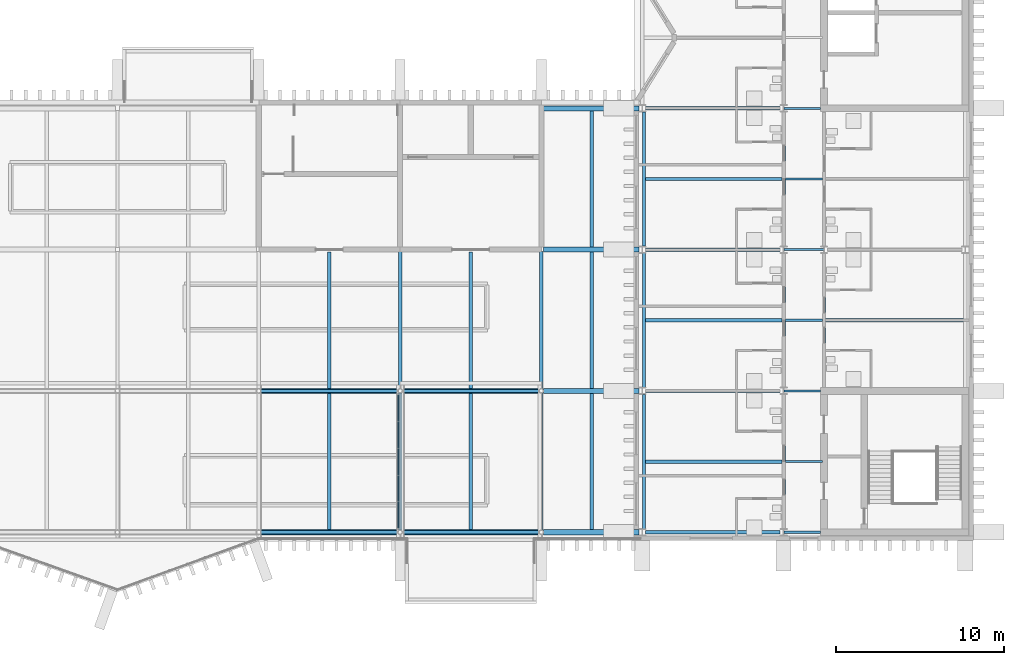
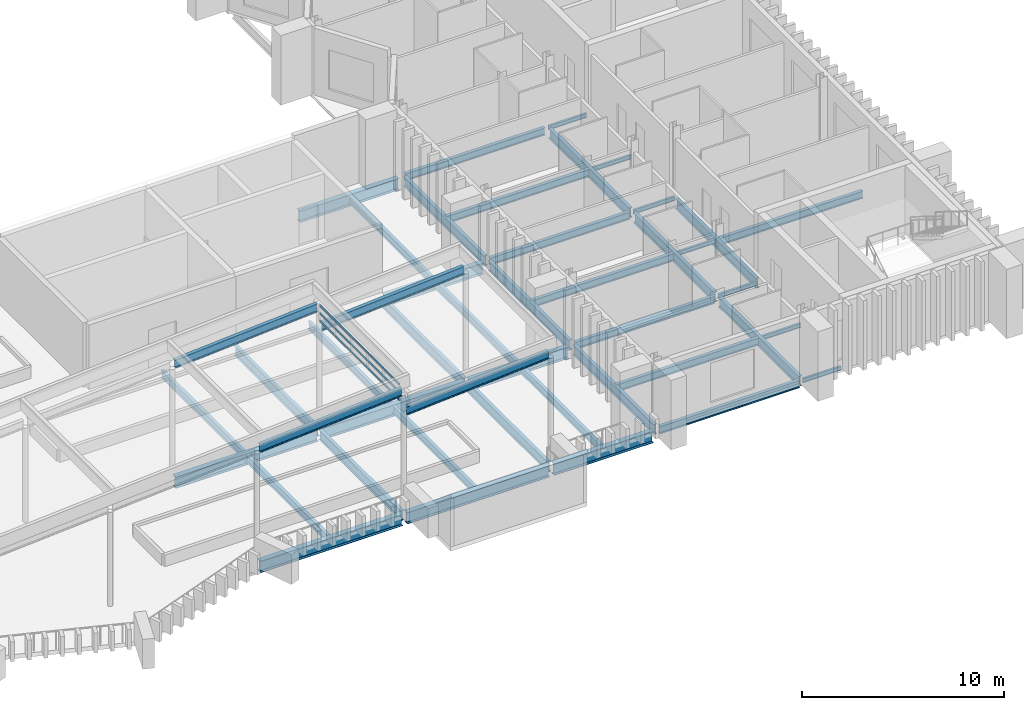
# One storey, part 23 of 51: 45 beams, 15 members, 1 element without a shape of its own.
"""IFC4 building model written with IfcOpenShell, lengths in metres."""

from ifc_helpers import new_model, si_unit, direction, frame, origin, origin_2d, place, context, subcontext, project, spatial, rectangle, i_section, extrude, material, layer, layer_set, material_profile, profile_set, type_object, element, aggregate, save


model = new_model("IFC4")

# Units and contexts
model_context = context("Model", 3, precision=1e-05, world=origin(), true_north=direction((0.0, 1.0)))
body_context = subcontext(model_context, "Body", "Model", "MODEL_VIEW")
ifc_project = project(units=[si_unit("LENGTHUNIT", "METRE"), si_unit("AREAUNIT", "SQUARE_METRE"), si_unit("VOLUMEUNIT", "CUBIC_METRE"), si_unit("PLANEANGLEUNIT", "RADIAN"), si_unit("MASSUNIT", "GRAM", prefix="KILO")], contexts=[model_context])

# Site, building, storey
site_placement = place(None, origin())
site = spatial("IfcSite", under=ifc_project, at=site_placement, CompositionType="ELEMENT")
building_placement = place(site_placement, origin())
building = spatial("IfcBuilding", under=site, at=building_placement, Name="Cresset Court Congress Hotel", CompositionType="ELEMENT")
storey_placement = place(building_placement, frame((0.0, 0.0, 18.60009765625)))
storey = spatial("IfcBuildingStorey", under=building, at=storey_placement, Name="L04", CompositionType="ELEMENT", Elevation=18.60009765625)

# Curtain wall, members
ifc_material_1 = material(Name="Aluminium frame with double glazing", Category="aluminium")
ifc_layer = layer(ifc_material_1, 0.199951171875)
ifc_layer_set = layer_set([ifc_layer], Name="Glazed box curtain wall 1680 module")
curtain_wall_type = type_object("IfcCurtainWallType", Name="Glazed box curtain wall 1680 module", PredefinedType="NOTDEFINED", material=ifc_layer_set)
curtain_wall_placement = place(storey_placement, origin())
curtain_wall = element("IfcCurtainWall", 1, at=curtain_wall_placement, inside=storey, type_object=curtain_wall_type, Name="Roof light face 5", PredefinedType="NOTDEFINED")
ifc_material_2 = material(Name="Aluminium", Category="aluminium")
ifc_material_profile_1 = material_profile(ifc_material_2, rectangle(XDim=0.06005859375, YDim=0.1201171875, at=origin_2d()), Name="Box transom 60x120")
ifc_profile_set_1 = profile_set([ifc_material_profile_1], Name="Aluminium")
member_type = type_object("IfcMemberType", Name="Box transom 60x120", PredefinedType="USERDEFINED", material=ifc_profile_set_1)
member_1_placement = place(storey_placement, frame((142.699951171875, 0.260009765625, 6.429931640625), z_axis=(0.0, 1.0, 0.0), x_axis=(-1.0, 0.0, 0.0)))
member_1 = element("IfcMember", 2, at=member_1_placement, type_object=member_type, Name="B-X1 transom 1.1", ObjectType="TRANSOM", PredefinedType="USERDEFINED", context=body_context, shape_type="SweptSolid", body=[
    extrude(rectangle(XDim=0.06005859375, YDim=0.1201171875, at=origin_2d()), origin(), (0.0, 0.0, 1.0), 1.510009765625),
])
member_2_placement = place(storey_placement, frame((142.699951171875, 0.260009765625, 6.8818359375), z_axis=(0.0, 1.0, 0.0), x_axis=(-1.0, 0.0, 0.0)))
member_2 = element("IfcMember", 3, at=member_2_placement, type_object=member_type, Name="B-X1 transom 1.2", ObjectType="TRANSOM", PredefinedType="USERDEFINED", context=body_context, shape_type="SweptSolid", body=[
    extrude(rectangle(XDim=0.06005859375, YDim=0.1201171875, at=origin_2d()), origin(), (0.0, 0.0, 1.0), 1.510009765625),
])
member_3_placement = place(storey_placement, frame((142.699951171875, 0.260009765625, 7.333984375), z_axis=(0.0, 1.0, 0.0), x_axis=(-1.0, 0.0, 0.0)))
member_3 = element("IfcMember", 4, at=member_3_placement, type_object=member_type, Name="B-X1 transom 1.3", ObjectType="TRANSOM", PredefinedType="USERDEFINED", context=body_context, shape_type="SweptSolid", body=[
    extrude(rectangle(XDim=0.06005859375, YDim=0.1201171875, at=origin_2d()), origin(), (0.0, 0.0, 1.0), 1.510009765625),
])
member_4_placement = place(storey_placement, frame((142.699951171875, 1.830078125, 6.429931640625), z_axis=(0.0, 1.0, 0.0), x_axis=(-1.0, 0.0, 0.0)))
member_4 = element("IfcMember", 5, at=member_4_placement, type_object=member_type, Name="B-X1 transom 2.1", ObjectType="TRANSOM", PredefinedType="USERDEFINED", context=body_context, shape_type="SweptSolid", body=[
    extrude(rectangle(XDim=0.06005859375, YDim=0.1201171875, at=origin_2d()), origin(), (0.0, 0.0, 1.0), 1.5400390625),
])
member_5_placement = place(storey_placement, frame((142.699951171875, 1.830078125, 6.8818359375), z_axis=(0.0, 1.0, 0.0), x_axis=(-1.0, 0.0, 0.0)))
member_5 = element("IfcMember", 6, at=member_5_placement, type_object=member_type, Name="B-X1 transom 2.2", ObjectType="TRANSOM", PredefinedType="USERDEFINED", context=body_context, shape_type="SweptSolid", body=[
    extrude(rectangle(XDim=0.06005859375, YDim=0.1201171875, at=origin_2d()), origin(), (0.0, 0.0, 1.0), 1.5400390625),
])
member_6_placement = place(storey_placement, frame((142.699951171875, 1.830078125, 7.333984375), z_axis=(0.0, 1.0, 0.0), x_axis=(-1.0, 0.0, 0.0)))
member_6 = element("IfcMember", 7, at=member_6_placement, type_object=member_type, Name="B-X1 transom 2.3", ObjectType="TRANSOM", PredefinedType="USERDEFINED", context=body_context, shape_type="SweptSolid", body=[
    extrude(rectangle(XDim=0.06005859375, YDim=0.1201171875, at=origin_2d()), origin(), (0.0, 0.0, 1.0), 1.5400390625),
])
member_7_placement = place(storey_placement, frame((142.699951171875, 3.429931640625, 6.429931640625), z_axis=(0.0, 1.0, 0.0), x_axis=(-1.0, 0.0, 0.0)))
member_7 = element("IfcMember", 8, at=member_7_placement, type_object=member_type, Name="B-X1 transom 3.1", ObjectType="TRANSOM", PredefinedType="USERDEFINED", context=body_context, shape_type="SweptSolid", body=[
    extrude(rectangle(XDim=0.06005859375, YDim=0.1201171875, at=origin_2d()), origin(), (0.0, 0.0, 1.0), 1.5400390625),
])
member_8_placement = place(storey_placement, frame((142.699951171875, 3.429931640625, 6.8818359375), z_axis=(0.0, 1.0, 0.0), x_axis=(-1.0, 0.0, 0.0)))
member_8 = element("IfcMember", 9, at=member_8_placement, type_object=member_type, Name="B-X1 transom 3.2", ObjectType="TRANSOM", PredefinedType="USERDEFINED", context=body_context, shape_type="SweptSolid", body=[
    extrude(rectangle(XDim=0.06005859375, YDim=0.1201171875, at=origin_2d()), origin(), (0.0, 0.0, 1.0), 1.5400390625),
])
member_9_placement = place(storey_placement, frame((142.699951171875, 3.429931640625, 7.333984375), z_axis=(0.0, 1.0, 0.0), x_axis=(-1.0, 0.0, 0.0)))
member_9 = element("IfcMember", 10, at=member_9_placement, type_object=member_type, Name="B-X1 transom 3.3", ObjectType="TRANSOM", PredefinedType="USERDEFINED", context=body_context, shape_type="SweptSolid", body=[
    extrude(rectangle(XDim=0.06005859375, YDim=0.1201171875, at=origin_2d()), origin(), (0.0, 0.0, 1.0), 1.5400390625),
])
member_10_placement = place(storey_placement, frame((142.699951171875, 5.030029296875, 6.429931640625), z_axis=(0.0, 1.0, 0.0), x_axis=(-1.0, 0.0, 0.0)))
member_10 = element("IfcMember", 11, at=member_10_placement, type_object=member_type, Name="B-X1 transom 4.1", ObjectType="TRANSOM", PredefinedType="USERDEFINED", context=body_context, shape_type="SweptSolid", body=[
    extrude(rectangle(XDim=0.06005859375, YDim=0.1201171875, at=origin_2d()), origin(), (0.0, 0.0, 1.0), 1.5400390625),
])
member_11_placement = place(storey_placement, frame((142.699951171875, 5.030029296875, 6.8818359375), z_axis=(0.0, 1.0, 0.0), x_axis=(-1.0, 0.0, 0.0)))
member_11 = element("IfcMember", 12, at=member_11_placement, type_object=member_type, Name="B-X1 transom 4.2", ObjectType="TRANSOM", PredefinedType="USERDEFINED", context=body_context, shape_type="SweptSolid", body=[
    extrude(rectangle(XDim=0.06005859375, YDim=0.1201171875, at=origin_2d()), origin(), (0.0, 0.0, 1.0), 1.5400390625),
])
member_12_placement = place(storey_placement, frame((142.699951171875, 5.030029296875, 7.333984375), z_axis=(0.0, 1.0, 0.0), x_axis=(-1.0, 0.0, 0.0)))
member_12 = element("IfcMember", 13, at=member_12_placement, type_object=member_type, Name="B-X1 transom 4.3", ObjectType="TRANSOM", PredefinedType="USERDEFINED", context=body_context, shape_type="SweptSolid", body=[
    extrude(rectangle(XDim=0.06005859375, YDim=0.1201171875, at=origin_2d()), origin(), (0.0, 0.0, 1.0), 1.5400390625),
])
member_13_placement = place(storey_placement, frame((142.699951171875, 6.6298828125, 6.429931640625), z_axis=(0.0, 1.0, 0.0), x_axis=(-1.0, 0.0, 0.0)))
member_13 = element("IfcMember", 14, at=member_13_placement, type_object=member_type, Name="B-X1 transom 5.1", ObjectType="TRANSOM", PredefinedType="USERDEFINED", context=body_context, shape_type="SweptSolid", body=[
    extrude(rectangle(XDim=0.06005859375, YDim=0.1201171875, at=origin_2d()), origin(), (0.0, 0.0, 1.0), 1.510009765625),
])
member_14_placement = place(storey_placement, frame((142.699951171875, 6.6298828125, 6.8818359375), z_axis=(0.0, 1.0, 0.0), x_axis=(-1.0, 0.0, 0.0)))
member_14 = element("IfcMember", 15, at=member_14_placement, type_object=member_type, Name="B-X1 transom 5.2", ObjectType="TRANSOM", PredefinedType="USERDEFINED", context=body_context, shape_type="SweptSolid", body=[
    extrude(rectangle(XDim=0.06005859375, YDim=0.1201171875, at=origin_2d()), origin(), (0.0, 0.0, 1.0), 1.510009765625),
])
member_15_placement = place(storey_placement, frame((142.699951171875, 6.6298828125, 7.333984375), z_axis=(0.0, 1.0, 0.0), x_axis=(-1.0, 0.0, 0.0)))
member_15 = element("IfcMember", 16, at=member_15_placement, type_object=member_type, Name="B-X1 transom 5.3", ObjectType="TRANSOM", PredefinedType="USERDEFINED", context=body_context, shape_type="SweptSolid", body=[
    extrude(rectangle(XDim=0.06005859375, YDim=0.1201171875, at=origin_2d()), origin(), (0.0, 0.0, 1.0), 1.510009765625),
])
aggregate(curtain_wall, [member_1, member_2, member_3, member_4, member_5, member_6, member_7, member_8, member_9, member_10, member_11, member_12, member_13, member_14, member_15])

# Beams
ifc_material_3 = material(Name="Structural steel Q355B", Category="steel")
ifc_material_profile_2 = material_profile(ifc_material_3, i_section(OverallWidth=0.199951171875, OverallDepth=0.5, WebThickness=0.010009765625, FlangeThickness=0.01611328125, FilletRadius=0.012939453125, at=origin_2d()), Name="HN500x200x10x16")
ifc_profile_set_2 = profile_set([ifc_material_profile_2], Name="Structural steel Q355B")
beam_type_1 = type_object("IfcBeamType", Name="Roof rafter HN500x200x10x16", PredefinedType="BEAM", material=ifc_profile_set_2)
for number, where, z_axis, x_axis, name in (
    (17, (134.53662109375, 0.0, 6.535400390625), (0.99755930113, 0.0, 0.069824356274), (0.0, 1.0, 0.0), "Roof rafter 5"),
    (18, (134.53662109375, 8.39990234375, 6.535400390625), (0.99755930113, 0.0, 0.069824356274), (0.0, 1.0, 0.0), "Roof rafter 5"),
    (19, (142.9365234375, 0.0, 5.859619140625), (0.997561388045, 0.0, 0.06979453475), (0.0, 1.0, 0.0), "Roof rafter 6"),
    (20, (142.9365234375, 8.39990234375, 5.859619140625), (0.997561388045, 0.0, 0.06979453475), (0.0, 1.0, 0.0), "Roof rafter 6"),
):
    element("IfcBeam", number, at=place(storey_placement, frame(where, z_axis=z_axis, x_axis=x_axis)), inside=storey, type_object=beam_type_1, Name=name, PredefinedType="BEAM", context=body_context, shape_type="SweptSolid", body=[
        extrude(i_section(OverallWidth=0.199951171875, OverallDepth=0.5, WebThickness=0.010009765625, FlangeThickness=0.01611328125, FilletRadius=0.012939453125, at=origin_2d()), origin(), (0.0, 0.0, 1.0), 8.146728515625),
    ])
ifc_material_4 = material(Name="Structural steel Q355B", Category="steel")
ifc_material_profile_3 = material_profile(ifc_material_4, i_section(OverallWidth=0.198974609375, OverallDepth=0.446044921875, WebThickness=0.008056640625, FlangeThickness=0.011962890625, FilletRadius=0.012939453125, at=origin_2d()), Name="HN446x199x8x12")
ifc_profile_set_3 = profile_set([ifc_material_profile_3], Name="Structural steel Q355B")
beam_type_2 = type_object("IfcBeamType", Name="Steel beam HN446x199x8x12", PredefinedType="BEAM", material=ifc_profile_set_3)
beam_1_placement = place(storey_placement, frame((157.402587890625, 0.0, -0.373046875), z_axis=(1.0, 0.0, 0.0), x_axis=(0.0, 1.0, 0.0)))
element("IfcBeam", 21, at=beam_1_placement, inside=storey, type_object=beam_type_2, Name="A.bm.L04.W.frame0.0", PredefinedType="BEAM", context=body_context, shape_type="SweptSolid", body=[
    extrude(i_section(OverallWidth=0.198974609375, OverallDepth=0.446044921875, WebThickness=0.008056640625, FlangeThickness=0.011962890625, FilletRadius=0.012939453125, at=origin_2d()), origin(), (0.0, 0.0, 1.0), 7.994873046875),
])
beam_2_placement = place(storey_placement, frame((157.300048828125, 4.199951171875, -0.373046875), z_axis=(1.0, 0.0, 0.0), x_axis=(0.0, 1.0, 0.0)))
element("IfcBeam", 22, at=beam_2_placement, inside=storey, type_object=beam_type_2, Name="A.bm.L04.W.mid.0", PredefinedType="BEAM", context=body_context, shape_type="SweptSolid", body=[
    extrude(i_section(OverallWidth=0.198974609375, OverallDepth=0.446044921875, WebThickness=0.008056640625, FlangeThickness=0.011962890625, FilletRadius=0.012939453125, at=origin_2d()), origin(), (0.0, 0.0, 1.0), 8.199951171875),
])
beam_3_placement = place(storey_placement, frame((157.402587890625, 8.39990234375, -0.373046875), z_axis=(1.0, 0.0, 0.0), x_axis=(0.0, 1.0, 0.0)))
element("IfcBeam", 23, at=beam_3_placement, inside=storey, type_object=beam_type_2, Name="A.bm.L04.W.frame0.1", PredefinedType="BEAM", context=body_context, shape_type="SweptSolid", body=[
    extrude(i_section(OverallWidth=0.198974609375, OverallDepth=0.446044921875, WebThickness=0.008056640625, FlangeThickness=0.011962890625, FilletRadius=0.012939453125, at=origin_2d()), origin(), (0.0, 0.0, 1.0), 7.994873046875),
])
for number, where, z_axis, x_axis, name in (
    (24, (157.300048828125, 12.60009765625, -0.373046875), (1.0, 0.0, 0.0), (0.0, 1.0, 0.0), "A.bm.L04.W.mid.1"),
    (25, (168.10009765625, 12.60009765625, -0.373046875), (1.0, 0.0, 0.0), (0.0, 1.0, 0.0), "A.bm.L04.E.mid.1"),
):
    element("IfcBeam", number, at=place(storey_placement, frame(where, z_axis=z_axis, x_axis=x_axis)), inside=storey, type_object=beam_type_2, Name=name, PredefinedType="BEAM", context=body_context, shape_type="SweptSolid", body=[
        extrude(i_section(OverallWidth=0.198974609375, OverallDepth=0.446044921875, WebThickness=0.008056640625, FlangeThickness=0.011962890625, FilletRadius=0.012939453125, at=origin_2d()), origin(), (0.0, 0.0, 1.0), 8.199951171875),
    ])
beam_4_placement = place(storey_placement, frame((157.402587890625, 16.800048828125, -0.373046875), z_axis=(1.0, 0.0, 0.0), x_axis=(0.0, 1.0, 0.0)))
element("IfcBeam", 26, at=beam_4_placement, inside=storey, type_object=beam_type_2, Name="A.bm.L04.W.frame0.2", PredefinedType="BEAM", context=body_context, shape_type="SweptSolid", body=[
    extrude(i_section(OverallWidth=0.198974609375, OverallDepth=0.446044921875, WebThickness=0.008056640625, FlangeThickness=0.011962890625, FilletRadius=0.012939453125, at=origin_2d()), origin(), (0.0, 0.0, 1.0), 7.994873046875),
])
beam_5_placement = place(storey_placement, frame((157.300048828125, 21.0, -0.373046875), z_axis=(1.0, 0.0, 0.0), x_axis=(0.0, 1.0, 0.0)))
element("IfcBeam", 27, at=beam_5_placement, inside=storey, type_object=beam_type_2, Name="A.bm.L04.W.mid.2", PredefinedType="BEAM", context=body_context, shape_type="SweptSolid", body=[
    extrude(i_section(OverallWidth=0.198974609375, OverallDepth=0.446044921875, WebThickness=0.008056640625, FlangeThickness=0.011962890625, FilletRadius=0.012939453125, at=origin_2d()), origin(), (0.0, 0.0, 1.0), 8.199951171875),
])
beam_6_placement = place(storey_placement, frame((157.402587890625, 25.199951171875, -0.373046875), z_axis=(1.0, 0.0, 0.0), x_axis=(0.0, 1.0, 0.0)))
element("IfcBeam", 28, at=beam_6_placement, inside=storey, type_object=beam_type_2, Name="A.bm.L04.W.frame0.3", PredefinedType="BEAM", context=body_context, shape_type="SweptSolid", body=[
    extrude(i_section(OverallWidth=0.198974609375, OverallDepth=0.446044921875, WebThickness=0.008056640625, FlangeThickness=0.011962890625, FilletRadius=0.012939453125, at=origin_2d()), origin(), (0.0, 0.0, 1.0), 7.994873046875),
])
ifc_material_5 = material(Name="Structural steel Q355B", Category="steel")
ifc_material_profile_4 = material_profile(ifc_material_5, i_section(OverallWidth=0.199951171875, OverallDepth=0.60009765625, WebThickness=0.010986328125, FlangeThickness=0.01708984375, FilletRadius=0.012939453125, at=origin_2d()), Name="HN600x200x11x17")
ifc_profile_set_4 = profile_set([ifc_material_profile_4], Name="Structural steel Q355B")
beam_type_3 = type_object("IfcBeamType", Name="Steel beam HN600x200x11x17", PredefinedType="BEAM", material=ifc_profile_set_4)
beam_7_placement = place(storey_placement, frame((142.800048828125, 0.125, -0.550048828125), z_axis=(0.0, 1.0, 0.0), x_axis=(-1.0, 0.0, 0.0)))
element("IfcBeam", 29, at=beam_7_placement, inside=storey, type_object=beam_type_3, Name="B.by.L04.18A", PredefinedType="BEAM", context=body_context, shape_type="SweptSolid", body=[
    extrude(i_section(OverallWidth=0.199951171875, OverallDepth=0.60009765625, WebThickness=0.010986328125, FlangeThickness=0.01708984375, FilletRadius=0.012939453125, at=origin_2d()), origin(), (0.0, 0.0, 1.0), 8.14990234375),
])
beam_8_placement = place(storey_placement, frame((142.800048828125, 8.52490234375, -0.550048828125), z_axis=(0.0, 1.0, 0.0), x_axis=(-1.0, 0.0, 0.0)))
element("IfcBeam", 30, at=beam_8_placement, inside=storey, type_object=beam_type_3, Name="B.by.L04.18B", PredefinedType="BEAM", context=body_context, shape_type="SweptSolid", body=[
    extrude(i_section(OverallWidth=0.199951171875, OverallDepth=0.60009765625, WebThickness=0.010986328125, FlangeThickness=0.01708984375, FilletRadius=0.012939453125, at=origin_2d()), origin(), (0.0, 0.0, 1.0), 8.150146484375),
])
beam_9_placement = place(storey_placement, frame((151.199951171875, 0.125, -0.550048828125), z_axis=(0.0, 1.0, 0.0), x_axis=(-1.0, 0.0, 0.0)))
element("IfcBeam", 31, at=beam_9_placement, inside=storey, type_object=beam_type_3, Name="B.by.L04.19A", PredefinedType="BEAM", context=body_context, shape_type="SweptSolid", body=[
    extrude(i_section(OverallWidth=0.199951171875, OverallDepth=0.60009765625, WebThickness=0.010986328125, FlangeThickness=0.01708984375, FilletRadius=0.012939453125, at=origin_2d()), origin(), (0.0, 0.0, 1.0), 8.14990234375),
])
beam_10_placement = place(storey_placement, frame((151.199951171875, 8.52490234375, -0.550048828125), z_axis=(0.0, 1.0, 0.0), x_axis=(-1.0, 0.0, 0.0)))
element("IfcBeam", 32, at=beam_10_placement, inside=storey, type_object=beam_type_3, Name="B.by.L04.19B", PredefinedType="BEAM", context=body_context, shape_type="SweptSolid", body=[
    extrude(i_section(OverallWidth=0.199951171875, OverallDepth=0.60009765625, WebThickness=0.010986328125, FlangeThickness=0.01708984375, FilletRadius=0.012939453125, at=origin_2d()), origin(), (0.0, 0.0, 1.0), 8.150146484375),
])
ifc_material_6 = material(Name="Structural steel Q355B", Category="steel")
ifc_material_profile_5 = material_profile(ifc_material_6, i_section(OverallWidth=0.300048828125, OverallDepth=0.699951171875, WebThickness=0.012939453125, FlangeThickness=0.02392578125, FilletRadius=0.01806640625, at=origin_2d()), Name="HN700x300x13x24")
ifc_profile_set_5 = profile_set([ifc_material_profile_5], Name="Structural steel Q355B")
beam_type_4 = type_object("IfcBeamType", Name="Steel beam HN700x300x13x24", PredefinedType="BEAM", material=ifc_profile_set_5)
beam_11_placement = place(storey_placement, frame((134.52490234375, 0.0, -0.60009765625), z_axis=(1.0, 0.0, 0.0), x_axis=(0.0, 1.0, 0.0)))
element("IfcBeam", 33, at=beam_11_placement, inside=storey, type_object=beam_type_4, Name="B.bx.L04.A17", PredefinedType="BEAM", context=body_context, shape_type="SweptSolid", body=[
    extrude(i_section(OverallWidth=0.300048828125, OverallDepth=0.699951171875, WebThickness=0.012939453125, FlangeThickness=0.02392578125, FilletRadius=0.01806640625, at=origin_2d()), origin(), (0.0, 0.0, 1.0), 8.150146484375),
])
beam_12_placement = place(storey_placement, frame((142.925048828125, 0.0, -0.60009765625), z_axis=(1.0, 0.0, 0.0), x_axis=(0.0, 1.0, 0.0)))
element("IfcBeam", 34, at=beam_12_placement, inside=storey, type_object=beam_type_4, Name="B.bx.L04.A18", PredefinedType="BEAM", context=body_context, shape_type="SweptSolid", body=[
    extrude(i_section(OverallWidth=0.300048828125, OverallDepth=0.699951171875, WebThickness=0.012939453125, FlangeThickness=0.02392578125, FilletRadius=0.01806640625, at=origin_2d()), origin(), (0.0, 0.0, 1.0), 8.14990234375),
])
beam_13_placement = place(storey_placement, frame((151.324951171875, 0.0, -0.60009765625), z_axis=(1.0, 0.0, 0.0), x_axis=(0.0, 1.0, 0.0)))
element("IfcBeam", 35, at=beam_13_placement, inside=storey, type_object=beam_type_4, Name="B.bx.L04.A19", PredefinedType="BEAM", context=body_context, shape_type="SweptSolid", body=[
    extrude(i_section(OverallWidth=0.300048828125, OverallDepth=0.699951171875, WebThickness=0.012939453125, FlangeThickness=0.02392578125, FilletRadius=0.01806640625, at=origin_2d()), origin(), (0.0, 0.0, 1.0), 5.675048828125),
])
beam_14_placement = place(storey_placement, frame((134.52490234375, 8.39990234375, -0.60009765625), z_axis=(1.0, 0.0, 0.0), x_axis=(0.0, 1.0, 0.0)))
element("IfcBeam", 36, at=beam_14_placement, inside=storey, type_object=beam_type_4, Name="B.bx.L04.B17", PredefinedType="BEAM", context=body_context, shape_type="SweptSolid", body=[
    extrude(i_section(OverallWidth=0.300048828125, OverallDepth=0.699951171875, WebThickness=0.012939453125, FlangeThickness=0.02392578125, FilletRadius=0.01806640625, at=origin_2d()), origin(), (0.0, 0.0, 1.0), 8.150146484375),
])
beam_15_placement = place(storey_placement, frame((142.925048828125, 8.39990234375, -0.60009765625), z_axis=(1.0, 0.0, 0.0), x_axis=(0.0, 1.0, 0.0)))
element("IfcBeam", 37, at=beam_15_placement, inside=storey, type_object=beam_type_4, Name="B.bx.L04.B18", PredefinedType="BEAM", context=body_context, shape_type="SweptSolid", body=[
    extrude(i_section(OverallWidth=0.300048828125, OverallDepth=0.699951171875, WebThickness=0.012939453125, FlangeThickness=0.02392578125, FilletRadius=0.01806640625, at=origin_2d()), origin(), (0.0, 0.0, 1.0), 8.14990234375),
])
for number, where, z_axis, x_axis, name in (
    (38, (151.324951171875, 8.39990234375, -0.60009765625), (1.0, 0.0, 0.0), (0.0, 1.0, 0.0), "B.bx.L04.B19"),
    (39, (151.324951171875, 16.800048828125, -0.60009765625), (1.0, 0.0, 0.0), (0.0, 1.0, 0.0), "B.bx.L04.C19"),
    (40, (151.324951171875, 25.199951171875, -0.60009765625), (1.0, 0.0, 0.0), (0.0, 1.0, 0.0), "B.bx.L04.D19"),
):
    element("IfcBeam", number, at=place(storey_placement, frame(where, z_axis=z_axis, x_axis=x_axis)), inside=storey, type_object=beam_type_4, Name=name, PredefinedType="BEAM", context=body_context, shape_type="SweptSolid", body=[
        extrude(i_section(OverallWidth=0.300048828125, OverallDepth=0.699951171875, WebThickness=0.012939453125, FlangeThickness=0.02392578125, FilletRadius=0.01806640625, at=origin_2d()), origin(), (0.0, 0.0, 1.0), 5.675048828125),
    ])
ifc_material_7 = material(Name="Structural steel Q355B", Category="steel")
ifc_material_profile_6 = material_profile(ifc_material_7, i_section(OverallWidth=0.125, OverallDepth=0.25, WebThickness=0.006103515625, FlangeThickness=0.009033203125, FilletRadius=0.012939453125, at=origin_2d()), Name="HN250x125x6x9")
ifc_profile_set_6 = profile_set([ifc_material_profile_6], Name="Structural steel Q355B")
beam_type_5 = type_object("IfcBeamType", Name="Steel corridor beam HN250x125x6x9", PredefinedType="BEAM", material=ifc_profile_set_6)
beam_16_placement = place(storey_placement, frame((165.60888671875, 0.0, -0.275146484375), z_axis=(1.0, 0.0, 0.0), x_axis=(0.0, 1.0, 0.0)))
element("IfcBeam", 41, at=beam_16_placement, inside=storey, type_object=beam_type_5, Name="A.bm.L04.C.frame0.0", PredefinedType="BEAM", context=body_context, shape_type="SweptSolid", body=[
    extrude(i_section(OverallWidth=0.125, OverallDepth=0.25, WebThickness=0.006103515625, FlangeThickness=0.009033203125, FilletRadius=0.012939453125, at=origin_2d()), origin(), (0.0, 0.0, 1.0), 2.191162109375),
])
beam_17_placement = place(storey_placement, frame((165.699951171875, 4.199951171875, -0.275146484375), z_axis=(1.0, 0.0, 0.0), x_axis=(0.0, 1.0, 0.0)))
element("IfcBeam", 42, at=beam_17_placement, inside=storey, type_object=beam_type_5, Name="A.bm.L04.C.mid.0", PredefinedType="BEAM", context=body_context, shape_type="SweptSolid", body=[
    extrude(i_section(OverallWidth=0.125, OverallDepth=0.25, WebThickness=0.006103515625, FlangeThickness=0.009033203125, FilletRadius=0.012939453125, at=origin_2d()), origin(), (0.0, 0.0, 1.0), 2.199951171875),
])
beam_18_placement = place(storey_placement, frame((165.60888671875, 8.39990234375, -0.275146484375), z_axis=(1.0, 0.0, 0.0), x_axis=(0.0, 1.0, 0.0)))
element("IfcBeam", 43, at=beam_18_placement, inside=storey, type_object=beam_type_5, Name="A.bm.L04.C.frame0.1", PredefinedType="BEAM", context=body_context, shape_type="SweptSolid", body=[
    extrude(i_section(OverallWidth=0.125, OverallDepth=0.25, WebThickness=0.006103515625, FlangeThickness=0.009033203125, FilletRadius=0.012939453125, at=origin_2d()), origin(), (0.0, 0.0, 1.0), 2.191162109375),
])
beam_19_placement = place(storey_placement, frame((165.699951171875, 12.60009765625, -0.275146484375), z_axis=(1.0, 0.0, 0.0), x_axis=(0.0, 1.0, 0.0)))
element("IfcBeam", 44, at=beam_19_placement, inside=storey, type_object=beam_type_5, Name="A.bm.L04.C.mid.1", PredefinedType="BEAM", context=body_context, shape_type="SweptSolid", body=[
    extrude(i_section(OverallWidth=0.125, OverallDepth=0.25, WebThickness=0.006103515625, FlangeThickness=0.009033203125, FilletRadius=0.012939453125, at=origin_2d()), origin(), (0.0, 0.0, 1.0), 2.199951171875),
])
beam_20_placement = place(storey_placement, frame((165.60888671875, 16.800048828125, -0.275146484375), z_axis=(1.0, 0.0, 0.0), x_axis=(0.0, 1.0, 0.0)))
element("IfcBeam", 45, at=beam_20_placement, inside=storey, type_object=beam_type_5, Name="A.bm.L04.C.frame0.2", PredefinedType="BEAM", context=body_context, shape_type="SweptSolid", body=[
    extrude(i_section(OverallWidth=0.125, OverallDepth=0.25, WebThickness=0.006103515625, FlangeThickness=0.009033203125, FilletRadius=0.012939453125, at=origin_2d()), origin(), (0.0, 0.0, 1.0), 2.382080078125),
])
beam_21_placement = place(storey_placement, frame((165.699951171875, 21.0, -0.275146484375), z_axis=(1.0, 0.0, 0.0), x_axis=(0.0, 1.0, 0.0)))
element("IfcBeam", 46, at=beam_21_placement, inside=storey, type_object=beam_type_5, Name="A.bm.L04.C.mid.2", PredefinedType="BEAM", context=body_context, shape_type="SweptSolid", body=[
    extrude(i_section(OverallWidth=0.125, OverallDepth=0.25, WebThickness=0.006103515625, FlangeThickness=0.009033203125, FilletRadius=0.012939453125, at=origin_2d()), origin(), (0.0, 0.0, 1.0), 2.199951171875),
])
beam_22_placement = place(storey_placement, frame((165.60888671875, 25.199951171875, -0.275146484375), z_axis=(1.0, 0.0, 0.0), x_axis=(0.0, 1.0, 0.0)))
element("IfcBeam", 47, at=beam_22_placement, inside=storey, type_object=beam_type_5, Name="A.bm.L04.C.frame0.3", PredefinedType="BEAM", context=body_context, shape_type="SweptSolid", body=[
    extrude(i_section(OverallWidth=0.125, OverallDepth=0.25, WebThickness=0.006103515625, FlangeThickness=0.009033203125, FilletRadius=0.012939453125, at=origin_2d()), origin(), (0.0, 0.0, 1.0), 2.191162109375),
])
ifc_material_8 = material(Name="Structural steel Q355B", Category="steel")
ifc_material_profile_7 = material_profile(ifc_material_8, i_section(OverallWidth=0.199951171875, OverallDepth=0.60009765625, WebThickness=0.010986328125, FlangeThickness=0.01708984375, FilletRadius=0.012939453125, at=origin_2d()), Name="HN600x200x11x17")
ifc_profile_set_7 = profile_set([ifc_material_profile_7], Name="Structural steel Q355B")
beam_type_6 = type_object("IfcBeamType", Name="Steel girder HN600x200x11x17", PredefinedType="BEAM", material=ifc_profile_set_7)
for number, where, z_axis, x_axis, name in (
    (48, (157.301025390625, 0.20703125, -0.4501953125), (0.0, 1.0, 0.0), (-1.0, 0.0, 0.0), "A.gir.L04.0.0"),
    (49, (157.301025390625, 8.60693359375, -0.4501953125), (0.0, 1.0, 0.0), (-1.0, 0.0, 0.0), "A.gir.L04.0.1"),
):
    element("IfcBeam", number, at=place(storey_placement, frame(where, z_axis=z_axis, x_axis=x_axis)), inside=storey, type_object=beam_type_6, Name=name, PredefinedType="BEAM", context=body_context, shape_type="SweptSolid", body=[
        extrude(i_section(OverallWidth=0.199951171875, OverallDepth=0.60009765625, WebThickness=0.010986328125, FlangeThickness=0.01708984375, FilletRadius=0.012939453125, at=origin_2d()), origin(), (0.0, 0.0, 1.0), 7.986083984375),
    ])
beam_23_placement = place(storey_placement, frame((157.301025390625, 17.007080078125, -0.4501953125), z_axis=(0.0, 1.0, 0.0), x_axis=(-1.0, 0.0, 0.0)))
element("IfcBeam", 50, at=beam_23_placement, inside=storey, type_object=beam_type_6, Name="A.gir.L04.0.2", PredefinedType="BEAM", context=body_context, shape_type="SweptSolid", body=[
    extrude(i_section(OverallWidth=0.199951171875, OverallDepth=0.60009765625, WebThickness=0.010986328125, FlangeThickness=0.01708984375, FilletRadius=0.012939453125, at=origin_2d()), origin(), (0.0, 0.0, 1.0), 7.98583984375),
])
for number, where, z_axis, x_axis, name in (
    (51, (165.60009765625, 0.20703125, -0.4501953125), (0.0, 1.0, 0.0), (-1.0, 0.0, 0.0), "A.gir.L04.1.0"),
    (52, (165.60009765625, 8.60693359375, -0.4501953125), (0.0, 1.0, 0.0), (-1.0, 0.0, 0.0), "A.gir.L04.1.1"),
):
    element("IfcBeam", number, at=place(storey_placement, frame(where, z_axis=z_axis, x_axis=x_axis)), inside=storey, type_object=beam_type_6, Name=name, PredefinedType="BEAM", context=body_context, shape_type="SweptSolid", body=[
        extrude(i_section(OverallWidth=0.199951171875, OverallDepth=0.60009765625, WebThickness=0.010986328125, FlangeThickness=0.01708984375, FilletRadius=0.012939453125, at=origin_2d()), origin(), (0.0, 0.0, 1.0), 7.986083984375),
    ])
beam_24_placement = place(storey_placement, frame((165.60009765625, 17.007080078125, -0.4501953125), z_axis=(0.0, 1.0, 0.0), x_axis=(-1.0, 0.0, 0.0)))
element("IfcBeam", 53, at=beam_24_placement, inside=storey, type_object=beam_type_6, Name="A.gir.L04.1.2", PredefinedType="BEAM", context=body_context, shape_type="SweptSolid", body=[
    extrude(i_section(OverallWidth=0.199951171875, OverallDepth=0.60009765625, WebThickness=0.010986328125, FlangeThickness=0.01708984375, FilletRadius=0.012939453125, at=origin_2d()), origin(), (0.0, 0.0, 1.0), 7.98583984375),
])
beam_25_placement = place(storey_placement, frame((168.0, 8.60009765625, -0.4501953125), z_axis=(0.0, 1.0, 0.0), x_axis=(-1.0, 0.0, 0.0)))
element("IfcBeam", 54, at=beam_25_placement, inside=storey, type_object=beam_type_6, Name="A.gir.L04.2.1", PredefinedType="BEAM", context=body_context, shape_type="SweptSolid", body=[
    extrude(i_section(OverallWidth=0.199951171875, OverallDepth=0.60009765625, WebThickness=0.010986328125, FlangeThickness=0.01708984375, FilletRadius=0.012939453125, at=origin_2d()), origin(), (0.0, 0.0, 1.0), 7.992919921875),
])
ifc_material_9 = material(Name="Structural steel Q355B", Category="steel")
ifc_material_profile_8 = material_profile(ifc_material_9, i_section(OverallWidth=0.199951171875, OverallDepth=0.449951171875, WebThickness=0.009033203125, FlangeThickness=0.013916015625, FilletRadius=0.012939453125, at=origin_2d()), Name="HN450x200x9x14")
ifc_profile_set_8 = profile_set([ifc_material_profile_8], Name="Structural steel Q355B")
beam_type_7 = type_object("IfcBeamType", Name="Steel joist HN450x200x9x14", PredefinedType="JOIST", material=ifc_profile_set_8)
beam_26_placement = place(storey_placement, frame((138.60009765625, 0.14990234375, -0.47509765625), z_axis=(0.0, 1.0, 0.0), x_axis=(-1.0, 0.0, 0.0)))
element("IfcBeam", 55, at=beam_26_placement, inside=storey, type_object=beam_type_7, Name="B.bj.L04.17A", PredefinedType="JOIST", context=body_context, shape_type="SweptSolid", body=[
    extrude(i_section(OverallWidth=0.199951171875, OverallDepth=0.449951171875, WebThickness=0.009033203125, FlangeThickness=0.013916015625, FilletRadius=0.012939453125, at=origin_2d()), origin(), (0.0, 0.0, 1.0), 8.10009765625),
])
beam_27_placement = place(storey_placement, frame((138.60009765625, 8.550048828125, -0.47509765625), z_axis=(0.0, 1.0, 0.0), x_axis=(-1.0, 0.0, 0.0)))
element("IfcBeam", 56, at=beam_27_placement, inside=storey, type_object=beam_type_7, Name="B.bj.L04.17B", PredefinedType="JOIST", context=body_context, shape_type="SweptSolid", body=[
    extrude(i_section(OverallWidth=0.199951171875, OverallDepth=0.449951171875, WebThickness=0.009033203125, FlangeThickness=0.013916015625, FilletRadius=0.012939453125, at=origin_2d()), origin(), (0.0, 0.0, 1.0), 8.099853515625),
])
beam_28_placement = place(storey_placement, frame((147.0, 0.14990234375, -0.47509765625), z_axis=(0.0, 1.0, 0.0), x_axis=(-1.0, 0.0, 0.0)))
element("IfcBeam", 57, at=beam_28_placement, inside=storey, type_object=beam_type_7, Name="B.bj.L04.18A", PredefinedType="JOIST", context=body_context, shape_type="SweptSolid", body=[
    extrude(i_section(OverallWidth=0.199951171875, OverallDepth=0.449951171875, WebThickness=0.009033203125, FlangeThickness=0.013916015625, FilletRadius=0.012939453125, at=origin_2d()), origin(), (0.0, 0.0, 1.0), 8.10009765625),
])
beam_29_placement = place(storey_placement, frame((147.0, 8.550048828125, -0.47509765625), z_axis=(0.0, 1.0, 0.0), x_axis=(-1.0, 0.0, 0.0)))
element("IfcBeam", 58, at=beam_29_placement, inside=storey, type_object=beam_type_7, Name="B.bj.L04.18B", PredefinedType="JOIST", context=body_context, shape_type="SweptSolid", body=[
    extrude(i_section(OverallWidth=0.199951171875, OverallDepth=0.449951171875, WebThickness=0.009033203125, FlangeThickness=0.013916015625, FilletRadius=0.012939453125, at=origin_2d()), origin(), (0.0, 0.0, 1.0), 8.099853515625),
])
beam_30_placement = place(storey_placement, frame((154.199951171875, 0.14990234375, -0.47509765625), z_axis=(0.0, 1.0, 0.0), x_axis=(-1.0, 0.0, 0.0)))
element("IfcBeam", 59, at=beam_30_placement, inside=storey, type_object=beam_type_7, Name="B.bj.L04.19A", PredefinedType="JOIST", context=body_context, shape_type="SweptSolid", body=[
    extrude(i_section(OverallWidth=0.199951171875, OverallDepth=0.449951171875, WebThickness=0.009033203125, FlangeThickness=0.013916015625, FilletRadius=0.012939453125, at=origin_2d()), origin(), (0.0, 0.0, 1.0), 8.10009765625),
])
beam_31_placement = place(storey_placement, frame((154.199951171875, 8.550048828125, -0.47509765625), z_axis=(0.0, 1.0, 0.0), x_axis=(-1.0, 0.0, 0.0)))
element("IfcBeam", 60, at=beam_31_placement, inside=storey, type_object=beam_type_7, Name="B.bj.L04.19B", PredefinedType="JOIST", context=body_context, shape_type="SweptSolid", body=[
    extrude(i_section(OverallWidth=0.199951171875, OverallDepth=0.449951171875, WebThickness=0.009033203125, FlangeThickness=0.013916015625, FilletRadius=0.012939453125, at=origin_2d()), origin(), (0.0, 0.0, 1.0), 8.099853515625),
])
beam_32_placement = place(storey_placement, frame((154.199951171875, 16.949951171875, -0.47509765625), z_axis=(0.0, 1.0, 0.0), x_axis=(-1.0, 0.0, 0.0)))
element("IfcBeam", 61, at=beam_32_placement, inside=storey, type_object=beam_type_7, Name="B.bj.L04.19C", PredefinedType="JOIST", context=body_context, shape_type="SweptSolid", body=[
    extrude(i_section(OverallWidth=0.199951171875, OverallDepth=0.449951171875, WebThickness=0.009033203125, FlangeThickness=0.013916015625, FilletRadius=0.012939453125, at=origin_2d()), origin(), (0.0, 0.0, 1.0), 8.10009765625),
])

save(model, "model.ifc")
